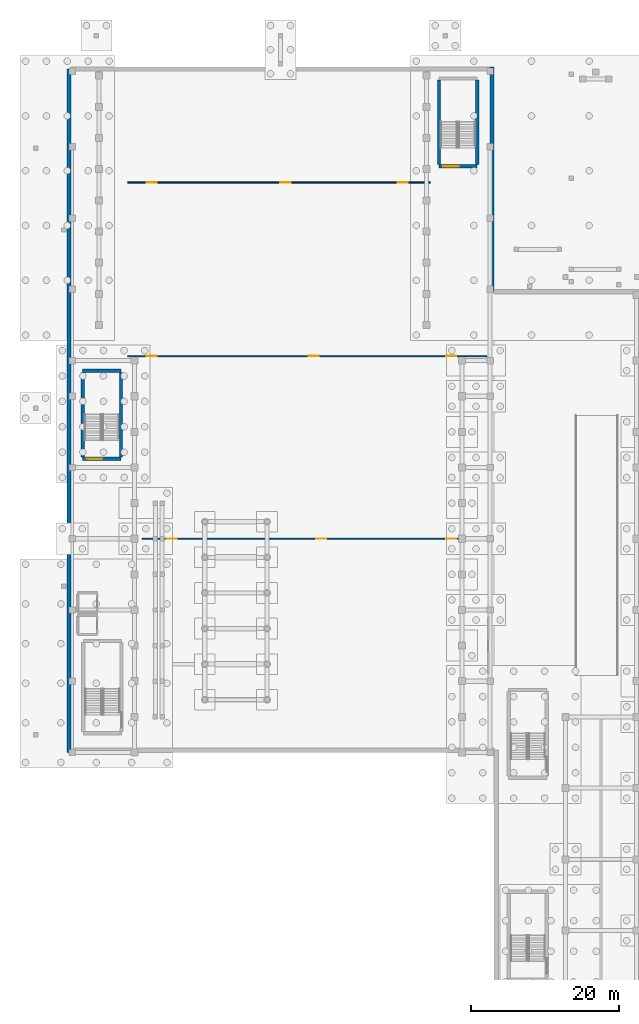
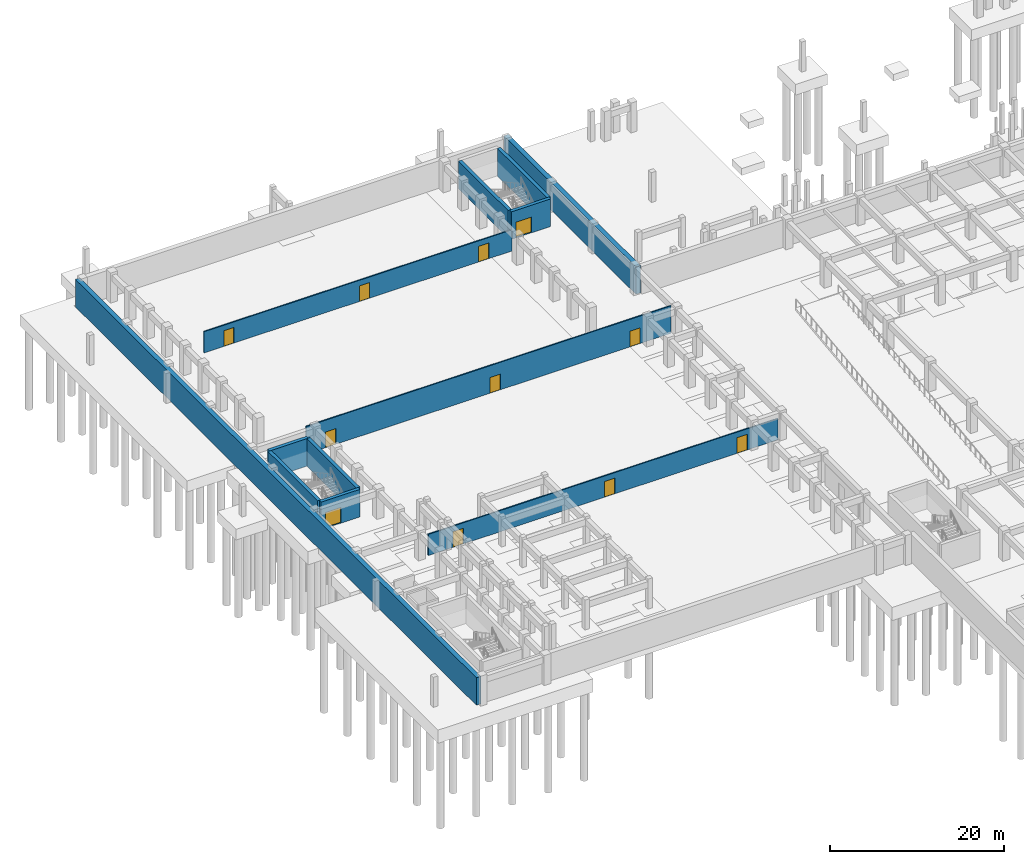
# One storey, part 18 of 39: 12 walls, 11 doors, 11 openings.
"""IFC4 building model written with IfcOpenShell, lengths in metres."""

from ifc_helpers import new_model, si_unit, direction, frame, frame_2d, origin, place, context, subcontext, project, spatial, rectangle, extrude, material, layer, layer_set, type_object, element, fill, save


model = new_model("IFC4")

# Units and contexts
model_context = context("Model", 3, precision=1e-05, world=origin(), true_north=direction((0.0, 1.0)))
body_context = subcontext(model_context, "Body", "Model", "MODEL_VIEW")
ifc_project = project(units=[si_unit("LENGTHUNIT", "METRE"), si_unit("AREAUNIT", "SQUARE_METRE"), si_unit("VOLUMEUNIT", "CUBIC_METRE"), si_unit("PLANEANGLEUNIT", "RADIAN"), si_unit("MASSUNIT", "GRAM", prefix="KILO")], contexts=[model_context])

# Site, building, storey
site_placement = place(None, origin())
site = spatial("IfcSite", under=ifc_project, at=site_placement, CompositionType="ELEMENT")
building_placement = place(site_placement, origin())
building = spatial("IfcBuilding", under=site, at=building_placement, Name="Nakhvara Creek Congress Hotel", CompositionType="ELEMENT")
storey_placement = place(building_placement, frame((0.0, 0.0, -8.39990234375)))
storey = spatial("IfcBuildingStorey", under=building, at=storey_placement, Name="B2", CompositionType="ELEMENT", Elevation=-8.39990234375)

# Wall, openings, doors
ifc_material_1 = material(Name="Moisture-resistant blockwork and plaster", Category="masonry")
ifc_layer_1 = layer(ifc_material_1, 0.159912109375)
ifc_layer_set_1 = layer_set([ifc_layer_1], Name="Moisture-resistant blockwork and plaster")
wall_type_1 = type_object("IfcWallType", Name="W-BOH-160", PredefinedType="PARTITIONING", material=ifc_layer_set_1)
wall_1_placement = place(storey_placement, frame((10.199951171875, 62.39990234375, 0.0), z_axis=(0.0, 0.0, 1.0), x_axis=(1.0, 0.0, 0.0)))
wall_1 = element("IfcWall", 1, at=wall_1_placement, inside=storey, type_object=wall_type_1, Name="Interior Wall WP14-IW-B2-0034", PredefinedType="PARTITIONING", context=body_context, shape_type="SweptSolid", body=[
    extrude(rectangle(XDim=46.400146484375, YDim=0.159912109375, at=frame_2d((23.2001953125, 0.0))), origin(), (0.0, 0.0, 1.0), 2.971923828125),
])
opening_1_placement = place(wall_1_placement, frame((3.300048828125, 0.0, 0.0)))
opening_1 = element("IfcOpeningElement", 2, at=opening_1_placement, cuts=wall_1, Name="Opening ID05", PredefinedType="OPENING", context=body_context, shape_type="SweptSolid", body=[
    extrude(rectangle(XDim=1.35009765625, YDim=2.199951171875, at=frame_2d((0.675048828125, 1.10009765625))), frame((0.0, 0.091796875, 0.0), z_axis=(0.0, -1.0, 0.0), x_axis=(1.0, 0.0, 0.0)), (0.0, 0.0, 1.0), 0.183837890625),
])
opening_2_placement = place(wall_1_placement, frame((40.949951171875, 0.0, 0.0)))
opening_2 = element("IfcOpeningElement", 3, at=opening_2_placement, cuts=wall_1, Name="Opening ID05", PredefinedType="OPENING", context=body_context, shape_type="SweptSolid", body=[
    extrude(rectangle(XDim=1.35009765625, YDim=2.199951171875, at=frame_2d((0.675048828125, 1.10009765625))), frame((0.0, 0.091796875, 0.0), z_axis=(0.0, -1.0, 0.0), x_axis=(1.0, 0.0, 0.0)), (0.0, 0.0, 1.0), 0.183837890625),
])
opening_3_placement = place(wall_1_placement, frame((23.39990234375, 0.0, 0.0)))
opening_3 = element("IfcOpeningElement", 4, at=opening_3_placement, cuts=wall_1, Name="Opening ID05", PredefinedType="OPENING", context=body_context, shape_type="SweptSolid", body=[
    extrude(rectangle(XDim=1.35009765625, YDim=2.199951171875, at=frame_2d((0.675048828125, 1.10009765625))), frame((0.0, 0.091796875, 0.0), z_axis=(0.0, -1.0, 0.0), x_axis=(1.0, 0.0, 0.0)), (0.0, 0.0, 1.0), 0.183837890625),
])
ifc_material_2 = material(Name="Brushed stainless-clad BOH door")
door_type_1 = type_object("IfcDoorType", Name="DT-BOH-135", OperationType="NOTDEFINED", PredefinedType="DOOR", material=ifc_material_2)
door_1_placement = place(opening_1_placement, frame((1.35009765625, 0.0, 0.0), z_axis=(0.0, 0.0, 1.0), x_axis=(-1.0, 0.0, 0.0)))
door_1 = element("IfcDoor", 5, at=door_1_placement, inside=storey, type_object=door_type_1, Name="Interior Door ID05-0024", OperationType="SINGLE_SWING_LEFT", OverallHeight=2.199951171875, OverallWidth=1.35009765625, PredefinedType="DOOR", context=body_context, shape_type="SweptSolid", body=[
    extrude(rectangle(XDim=1.35009765625, YDim=2.199951171875, at=frame_2d((0.675048828125, 1.10009765625))), frame((0.0, 0.02490234375, 0.0), z_axis=(0.0, -1.0, 0.0), x_axis=(1.0, 0.0, 0.0)), (0.0, 0.0, 1.0), 0.050048828125),
])
fill(opening_1, door_1)
door_2_placement = place(opening_2_placement, frame((1.35009765625, 0.0, 0.0), z_axis=(0.0, 0.0, 1.0), x_axis=(-1.0, 0.0, 0.0)))
door_2 = element("IfcDoor", 6, at=door_2_placement, inside=storey, type_object=door_type_1, Name="Interior Door ID05-0025", OperationType="SINGLE_SWING_RIGHT", OverallHeight=2.199951171875, OverallWidth=1.35009765625, PredefinedType="DOOR", context=body_context, shape_type="SweptSolid", body=[
    extrude(rectangle(XDim=1.35009765625, YDim=2.199951171875, at=frame_2d((0.675048828125, 1.10009765625))), frame((0.0, 0.02490234375, 0.0), z_axis=(0.0, -1.0, 0.0), x_axis=(1.0, 0.0, 0.0)), (0.0, 0.0, 1.0), 0.050048828125),
])
fill(opening_2, door_2)
door_3_placement = place(opening_3_placement, frame((1.35009765625, 0.0, 0.0), z_axis=(0.0, 0.0, 1.0), x_axis=(-1.0, 0.0, 0.0)))
door_3 = element("IfcDoor", 7, at=door_3_placement, inside=storey, type_object=door_type_1, Name="Interior Door ID05-0026", OperationType="SINGLE_SWING_LEFT", OverallHeight=2.199951171875, OverallWidth=1.35009765625, PredefinedType="DOOR", context=body_context, shape_type="SweptSolid", body=[
    extrude(rectangle(XDim=1.35009765625, YDim=2.199951171875, at=frame_2d((0.675048828125, 1.10009765625))), frame((0.0, 0.02490234375, 0.0), z_axis=(0.0, -1.0, 0.0), x_axis=(1.0, 0.0, 0.0)), (0.0, 0.0, 1.0), 0.050048828125),
])
fill(opening_3, door_3)

wall_2_placement = place(storey_placement, frame((8.199951171875, 87.0, 0.0), z_axis=(0.0, 0.0, 1.0), x_axis=(1.0, 0.0, 0.0)))
wall_2 = element("IfcWall", 8, at=wall_2_placement, inside=storey, type_object=wall_type_1, Name="Interior Wall WP14-IW-B2-0035", PredefinedType="PARTITIONING", context=body_context, shape_type="SweptSolid", body=[
    extrude(rectangle(XDim=48.400146484375, YDim=0.159912109375, at=frame_2d((24.2001953125, 0.0))), origin(), (0.0, 0.0, 1.0), 3.85986328125),
])
opening_4_placement = place(wall_2_placement, frame((2.60009765625, 0.0, 0.0)))
opening_4 = element("IfcOpeningElement", 9, at=opening_4_placement, cuts=wall_2, Name="Opening ID05", PredefinedType="OPENING", context=body_context, shape_type="SweptSolid", body=[
    extrude(rectangle(XDim=1.35009765625, YDim=2.199951171875, at=frame_2d((0.675048828125, 1.10009765625))), frame((0.0, 0.091796875, 0.0), z_axis=(0.0, -1.0, 0.0), x_axis=(1.0, 0.0, 0.0)), (0.0, 0.0, 1.0), 0.183837890625),
])
opening_5_placement = place(wall_2_placement, frame((42.949951171875, 0.0, 0.0)))
opening_5 = element("IfcOpeningElement", 10, at=opening_5_placement, cuts=wall_2, Name="Opening ID05", PredefinedType="OPENING", context=body_context, shape_type="SweptSolid", body=[
    extrude(rectangle(XDim=1.35009765625, YDim=2.199951171875, at=frame_2d((0.675048828125, 1.10009765625))), frame((0.0, 0.091796875, 0.0), z_axis=(0.0, -1.0, 0.0), x_axis=(1.0, 0.0, 0.0)), (0.0, 0.0, 1.0), 0.183837890625),
])
opening_6_placement = place(wall_2_placement, frame((24.39990234375, 0.0, 0.0)))
opening_6 = element("IfcOpeningElement", 11, at=opening_6_placement, cuts=wall_2, Name="Opening ID05", PredefinedType="OPENING", context=body_context, shape_type="SweptSolid", body=[
    extrude(rectangle(XDim=1.35009765625, YDim=2.199951171875, at=frame_2d((0.675048828125, 1.10009765625))), frame((0.0, 0.091796875, 0.0), z_axis=(0.0, -1.0, 0.0), x_axis=(1.0, 0.0, 0.0)), (0.0, 0.0, 1.0), 0.183837890625),
])
door_4_placement = place(opening_4_placement, frame((1.35009765625, 0.0, 0.0), z_axis=(0.0, 0.0, 1.0), x_axis=(-1.0, 0.0, 0.0)))
door_4 = element("IfcDoor", 12, at=door_4_placement, inside=storey, type_object=door_type_1, Name="Interior Door ID05-0027", OperationType="SINGLE_SWING_RIGHT", OverallHeight=2.199951171875, OverallWidth=1.35009765625, PredefinedType="DOOR", context=body_context, shape_type="SweptSolid", body=[
    extrude(rectangle(XDim=1.35009765625, YDim=2.199951171875, at=frame_2d((0.675048828125, 1.10009765625))), frame((0.0, 0.02490234375, 0.0), z_axis=(0.0, -1.0, 0.0), x_axis=(1.0, 0.0, 0.0)), (0.0, 0.0, 1.0), 0.050048828125),
])
fill(opening_4, door_4)
door_5_placement = place(opening_5_placement, frame((1.35009765625, 0.0, 0.0), z_axis=(0.0, 0.0, 1.0), x_axis=(-1.0, 0.0, 0.0)))
door_5 = element("IfcDoor", 13, at=door_5_placement, inside=storey, type_object=door_type_1, Name="Interior Door ID05-0028", OperationType="SINGLE_SWING_LEFT", OverallHeight=2.199951171875, OverallWidth=1.35009765625, PredefinedType="DOOR", context=body_context, shape_type="SweptSolid", body=[
    extrude(rectangle(XDim=1.35009765625, YDim=2.199951171875, at=frame_2d((0.675048828125, 1.10009765625))), frame((0.0, 0.02490234375, 0.0), z_axis=(0.0, -1.0, 0.0), x_axis=(1.0, 0.0, 0.0)), (0.0, 0.0, 1.0), 0.050048828125),
])
fill(opening_5, door_5)
door_6_placement = place(opening_6_placement, frame((1.35009765625, 0.0, 0.0), z_axis=(0.0, 0.0, 1.0), x_axis=(-1.0, 0.0, 0.0)))
door_6 = element("IfcDoor", 14, at=door_6_placement, inside=storey, type_object=door_type_1, Name="Interior Door ID05-0029", OperationType="SINGLE_SWING_RIGHT", OverallHeight=2.199951171875, OverallWidth=1.35009765625, PredefinedType="DOOR", context=body_context, shape_type="SweptSolid", body=[
    extrude(rectangle(XDim=1.35009765625, YDim=2.199951171875, at=frame_2d((0.675048828125, 1.10009765625))), frame((0.0, 0.02490234375, 0.0), z_axis=(0.0, -1.0, 0.0), x_axis=(1.0, 0.0, 0.0)), (0.0, 0.0, 1.0), 0.050048828125),
])
fill(opening_6, door_6)

wall_3_placement = place(storey_placement, frame((8.199951171875, 110.39990234375, 0.0), z_axis=(0.0, 0.0, 1.0), x_axis=(1.0, 0.0, 0.0)))
wall_3 = element("IfcWall", 15, at=wall_3_placement, inside=storey, type_object=wall_type_1, Name="Interior Wall WP14-IW-B2-0036", PredefinedType="PARTITIONING", context=body_context, shape_type="SweptSolid", body=[
    extrude(rectangle(XDim=40.800048828125, YDim=0.159912109375, at=frame_2d((20.39990234375, 0.0))), origin(), (0.0, 0.0, 1.0), 2.971923828125),
])
opening_7_placement = place(wall_3_placement, frame((2.60009765625, 0.0, 0.0)))
opening_7 = element("IfcOpeningElement", 16, at=opening_7_placement, cuts=wall_3, Name="Opening ID05", PredefinedType="OPENING", context=body_context, shape_type="SweptSolid", body=[
    extrude(rectangle(XDim=1.35009765625, YDim=2.199951171875, at=frame_2d((0.675048828125, 1.10009765625))), frame((0.0, 0.091796875, 0.0), z_axis=(0.0, -1.0, 0.0), x_axis=(1.0, 0.0, 0.0)), (0.0, 0.0, 1.0), 0.183837890625),
])
opening_8_placement = place(wall_3_placement, frame((36.39990234375, 0.0, 0.0)))
opening_8 = element("IfcOpeningElement", 17, at=opening_8_placement, cuts=wall_3, Name="Opening ID05", PredefinedType="OPENING", context=body_context, shape_type="SweptSolid", body=[
    extrude(rectangle(XDim=1.35009765625, YDim=2.199951171875, at=frame_2d((0.675048828125, 1.10009765625))), frame((0.0, 0.091796875, 0.0), z_axis=(0.0, -1.0, 0.0), x_axis=(1.0, 0.0, 0.0)), (0.0, 0.0, 1.0), 0.183837890625),
])
opening_9_placement = place(wall_3_placement, frame((20.60009765625, 0.0, 0.0)))
opening_9 = element("IfcOpeningElement", 18, at=opening_9_placement, cuts=wall_3, Name="Opening ID05", PredefinedType="OPENING", context=body_context, shape_type="SweptSolid", body=[
    extrude(rectangle(XDim=1.35009765625, YDim=2.199951171875, at=frame_2d((0.675048828125, 1.10009765625))), frame((0.0, 0.091796875, 0.0), z_axis=(0.0, -1.0, 0.0), x_axis=(1.0, 0.0, 0.0)), (0.0, 0.0, 1.0), 0.183837890625),
])
door_7_placement = place(opening_7_placement, frame((1.35009765625, 0.0, 0.0), z_axis=(0.0, 0.0, 1.0), x_axis=(-1.0, 0.0, 0.0)))
door_7 = element("IfcDoor", 19, at=door_7_placement, inside=storey, type_object=door_type_1, Name="Interior Door ID05-0030", OperationType="SINGLE_SWING_LEFT", OverallHeight=2.199951171875, OverallWidth=1.35009765625, PredefinedType="DOOR", context=body_context, shape_type="SweptSolid", body=[
    extrude(rectangle(XDim=1.35009765625, YDim=2.199951171875, at=frame_2d((0.675048828125, 1.10009765625))), frame((0.0, 0.02490234375, 0.0), z_axis=(0.0, -1.0, 0.0), x_axis=(1.0, 0.0, 0.0)), (0.0, 0.0, 1.0), 0.050048828125),
])
fill(opening_7, door_7)
door_8_placement = place(opening_8_placement, frame((1.35009765625, 0.0, 0.0), z_axis=(0.0, 0.0, 1.0), x_axis=(-1.0, 0.0, 0.0)))
door_8 = element("IfcDoor", 20, at=door_8_placement, inside=storey, type_object=door_type_1, Name="Interior Door ID05-0031", OperationType="SINGLE_SWING_RIGHT", OverallHeight=2.199951171875, OverallWidth=1.35009765625, PredefinedType="DOOR", context=body_context, shape_type="SweptSolid", body=[
    extrude(rectangle(XDim=1.35009765625, YDim=2.199951171875, at=frame_2d((0.675048828125, 1.10009765625))), frame((0.0, 0.02490234375, 0.0), z_axis=(0.0, -1.0, 0.0), x_axis=(1.0, 0.0, 0.0)), (0.0, 0.0, 1.0), 0.050048828125),
])
fill(opening_8, door_8)
door_9_placement = place(opening_9_placement, frame((1.35009765625, 0.0, 0.0), z_axis=(0.0, 0.0, 1.0), x_axis=(-1.0, 0.0, 0.0)))
door_9 = element("IfcDoor", 21, at=door_9_placement, inside=storey, type_object=door_type_1, Name="Interior Door ID05-0032", OperationType="SINGLE_SWING_LEFT", OverallHeight=2.199951171875, OverallWidth=1.35009765625, PredefinedType="DOOR", context=body_context, shape_type="SweptSolid", body=[
    extrude(rectangle(XDim=1.35009765625, YDim=2.199951171875, at=frame_2d((0.675048828125, 1.10009765625))), frame((0.0, 0.02490234375, 0.0), z_axis=(0.0, -1.0, 0.0), x_axis=(1.0, 0.0, 0.0)), (0.0, 0.0, 1.0), 0.050048828125),
])
fill(opening_9, door_9)

# Wall, opening, door
ifc_material_3 = material(Name="Concrete C50/60", Category="concrete")
ifc_layer_2 = layer(ifc_material_3, 0.449951171875)
ifc_layer_set_2 = layer_set([ifc_layer_2], Name="Concrete C50/60")
wall_type_2 = type_object("IfcWallType", Name="W-CORE-450", PredefinedType="SHEAR", material=ifc_layer_set_2)
wall_4_placement = place(storey_placement, frame((2.14990234375, 73.179931640625, 0.0), z_axis=(0.0, 0.0, 1.0), x_axis=(1.0, 0.0, 0.0)))
wall_4 = element("IfcWall", 22, at=wall_4_placement, inside=storey, type_object=wall_type_2, Name="Core Shear Wall WS02-CWALL-B2-0847", PredefinedType="SHEAR", context=body_context, shape_type="SweptSolid", body=[
    extrude(rectangle(XDim=5.150146484375, YDim=0.449951171875, at=frame_2d((2.5751953125, 0.0))), origin(), (0.0, 0.0, 1.0), 3.85986328125),
])
opening_10_placement = place(wall_4_placement, frame((0.550048828125, 0.0, 0.0)))
opening_10 = element("IfcOpeningElement", 23, at=opening_10_placement, cuts=wall_4, Name="Opening FD19", PredefinedType="OPENING", context=body_context, shape_type="SweptSolid", body=[
    extrude(rectangle(XDim=2.10009765625, YDim=2.199951171875, at=frame_2d((1.050048828125, 1.10009765625))), frame((0.0, 0.23681640625, 0.0), z_axis=(0.0, -1.0, 0.0), x_axis=(1.0, 0.0, 0.0)), (0.0, 0.0, 1.0), 0.473876953125),
])
ifc_material_4 = material(Name="Galvanised steel acoustic fire door", Category="steel")
door_type_2 = type_object("IfcDoorType", Name="DT-STAIR-220", OperationType="DOUBLE_DOOR_SINGLE_SWING", PredefinedType="DOOR", material=ifc_material_4)
door_10_placement = place(opening_10_placement, frame((2.10009765625, 0.0, 0.0), z_axis=(0.0, 0.0, 1.0), x_axis=(-1.0, 0.0, 0.0)))
door_10 = element("IfcDoor", 24, at=door_10_placement, inside=storey, type_object=door_type_2, Name="Stair Exit Door ST07-B2", OperationType="DOUBLE_DOOR_SINGLE_SWING", OverallHeight=2.199951171875, OverallWidth=2.10009765625, PredefinedType="DOOR", context=body_context, shape_type="SweptSolid", body=[
    extrude(rectangle(XDim=2.10009765625, YDim=2.199951171875, at=frame_2d((1.050048828125, 1.10009765625))), frame((0.0, 0.02490234375, 0.0), z_axis=(0.0, -1.0, 0.0), x_axis=(1.0, 0.0, 0.0)), (0.0, 0.0, 1.0), 0.050048828125),
])
fill(opening_10, door_10)

# Walls
wall_5_placement = place(storey_placement, frame((2.14990234375, 85.02001953125, 0.0), z_axis=(0.0, 0.0, 1.0), x_axis=(1.0, 0.0, 0.0)))
element("IfcWall", 25, at=wall_5_placement, inside=storey, type_object=wall_type_2, Name="Core Shear Wall WS02-CWALL-B2-0848", PredefinedType="SHEAR", context=body_context, shape_type="SweptSolid", body=[
    extrude(rectangle(XDim=5.150146484375, YDim=0.449951171875, at=frame_2d((2.5751953125, 0.0))), origin(), (0.0, 0.0, 1.0), 3.85986328125),
])
for number, where, z_axis, x_axis, name in (
    (26, (2.14990234375, 73.39990234375, 0.0), (0.0, 0.0, 1.0), (0.0, 1.0, 0.0), "Core Shear Wall WS02-CWALL-B2-0849"),
    (27, (7.300048828125, 73.39990234375, 0.0), (0.0, 0.0, 1.0), (0.0, 1.0, 0.0), "Core Shear Wall WS02-CWALL-B2-0850"),
):
    element("IfcWall", number, at=place(storey_placement, frame(where, z_axis=z_axis, x_axis=x_axis)), inside=storey, type_object=wall_type_2, Name=name, PredefinedType="SHEAR", context=body_context, shape_type="SweptSolid", body=[
        extrude(rectangle(XDim=11.400146484375, YDim=0.449951171875, at=frame_2d((5.7001953125, 0.0))), origin(), (0.0, 0.0, 1.0), 3.85986328125),
    ])

# Wall, opening, door
wall_6_placement = place(storey_placement, frame((50.14990234375, 112.580078125, 0.0), z_axis=(0.0, 0.0, 1.0), x_axis=(1.0, 0.0, 0.0)))
wall_6 = element("IfcWall", 28, at=wall_6_placement, inside=storey, type_object=wall_type_2, Name="Core Shear Wall WS02-CWALL-B2-0871", PredefinedType="SHEAR", context=body_context, shape_type="SweptSolid", body=[
    extrude(rectangle(XDim=5.150146484375, YDim=0.449951171875, at=frame_2d((2.5751953125, 0.0))), origin(), (0.0, 0.0, 1.0), 3.85986328125),
])
opening_11_placement = place(wall_6_placement, frame((0.550048828125, 0.0, 0.0)))
opening_11 = element("IfcOpeningElement", 29, at=opening_11_placement, cuts=wall_6, Name="Opening FD19", PredefinedType="OPENING", context=body_context, shape_type="SweptSolid", body=[
    extrude(rectangle(XDim=2.10009765625, YDim=2.199951171875, at=frame_2d((1.050048828125, 1.10009765625))), frame((0.0, 0.23681640625, 0.0), z_axis=(0.0, -1.0, 0.0), x_axis=(1.0, 0.0, 0.0)), (0.0, 0.0, 1.0), 0.473876953125),
])
door_11_placement = place(opening_11_placement, frame((2.10009765625, 0.0, 0.0), z_axis=(0.0, 0.0, 1.0), x_axis=(-1.0, 0.0, 0.0)))
door_11 = element("IfcDoor", 30, at=door_11_placement, inside=storey, type_object=door_type_2, Name="Stair Exit Door ST08-B2", OperationType="DOUBLE_DOOR_SINGLE_SWING", OverallHeight=2.199951171875, OverallWidth=2.10009765625, PredefinedType="DOOR", context=body_context, shape_type="SweptSolid", body=[
    extrude(rectangle(XDim=2.10009765625, YDim=2.199951171875, at=frame_2d((1.050048828125, 1.10009765625))), frame((0.0, 0.02490234375, 0.0), z_axis=(0.0, -1.0, 0.0), x_axis=(1.0, 0.0, 0.0)), (0.0, 0.0, 1.0), 0.050048828125),
])
fill(opening_11, door_11)

# Walls
for number, where, z_axis, x_axis, name in (
    (31, (50.14990234375, 112.800048828125, 0.0), (0.0, 0.0, 1.0), (0.0, 1.0, 0.0), "Core Shear Wall WS02-CWALL-B2-0873"),
    (32, (55.300048828125, 112.800048828125, 0.0), (0.0, 0.0, 1.0), (0.0, 1.0, 0.0), "Core Shear Wall WS02-CWALL-B2-0874"),
):
    element("IfcWall", number, at=place(storey_placement, frame(where, z_axis=z_axis, x_axis=x_axis)), inside=storey, type_object=wall_type_2, Name=name, PredefinedType="SHEAR", context=body_context, shape_type="SweptSolid", body=[
        extrude(rectangle(XDim=11.39990234375, YDim=0.449951171875, at=frame_2d((5.699951171875, 0.0))), origin(), (0.0, 0.0, 1.0), 3.85986328125),
    ])
ifc_material_5 = material(Name="Concrete C40/50", Category="concrete")
ifc_layer_3 = layer(ifc_material_5, 0.60009765625)
ifc_layer_set_3 = layer_set([ifc_layer_3], Name="Concrete C40/50")
wall_type_3 = type_object("IfcWallType", Name="W-RET-600", PredefinedType="USERDEFINED", material=ifc_layer_set_3)
wall_7_placement = place(storey_placement, frame((0.300048828125, 33.60009765625, 0.0), z_axis=(0.0, 0.0, 1.0), x_axis=(0.0, 1.0, 0.0)))
element("IfcWall", 33, at=wall_7_placement, inside=storey, type_object=wall_type_3, Name="Exterior Wall WR01-EW-B2-0001", ObjectType="RETAININGWALL", PredefinedType="USERDEFINED", context=body_context, shape_type="SweptSolid", body=[
    extrude(rectangle(XDim=92.099853515625, YDim=0.60009765625, at=frame_2d((46.0498046875, 0.0))), origin(), (0.0, 0.0, 1.0), 3.85986328125),
])
wall_8_placement = place(storey_placement, frame((57.300048828125, 126.0, 0.0), z_axis=(0.0, 0.0, 1.0), x_axis=(0.0, -1.0, 0.0)))
element("IfcWall", 34, at=wall_8_placement, inside=storey, type_object=wall_type_3, Name="Exterior Wall WR01-EW-B2-0003", ObjectType="RETAININGWALL", PredefinedType="USERDEFINED", context=body_context, shape_type="SweptSolid", body=[
    extrude(rectangle(XDim=30.300048828125, YDim=0.60009765625, at=frame_2d((15.14990234375, 0.0))), origin(), (0.0, 0.0, 1.0), 3.85986328125),
])

save(model, "model.ifc")
